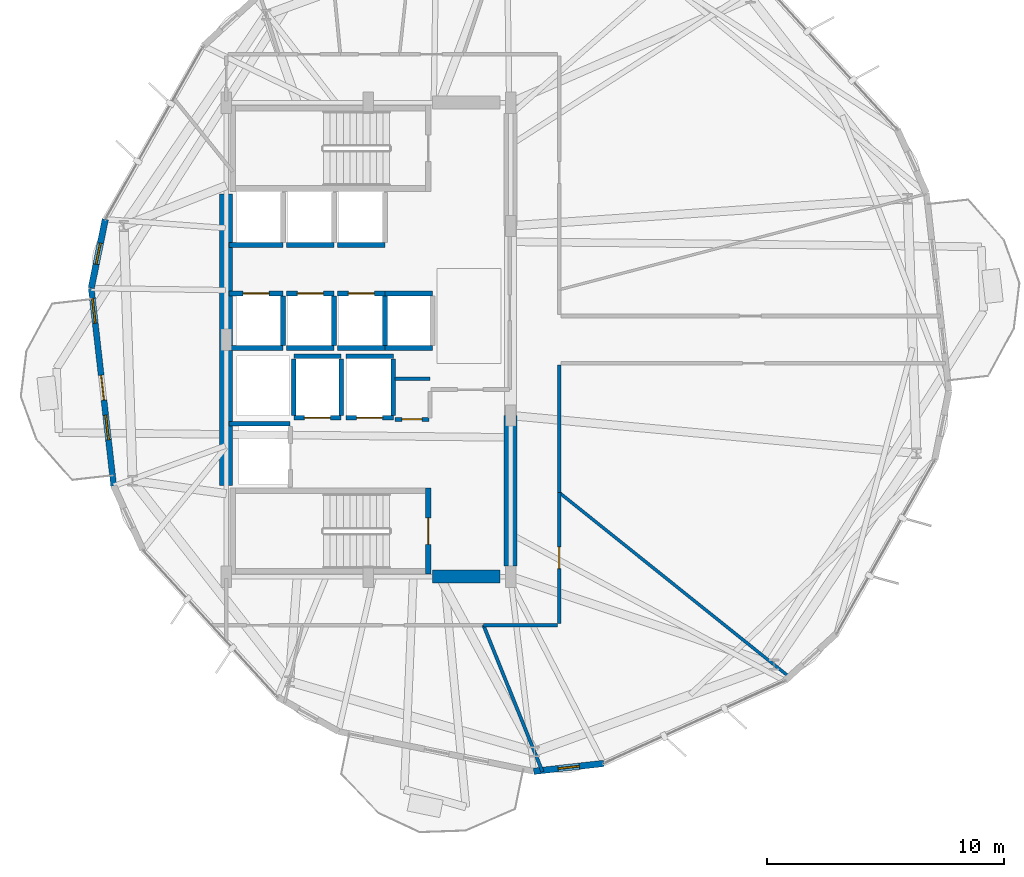
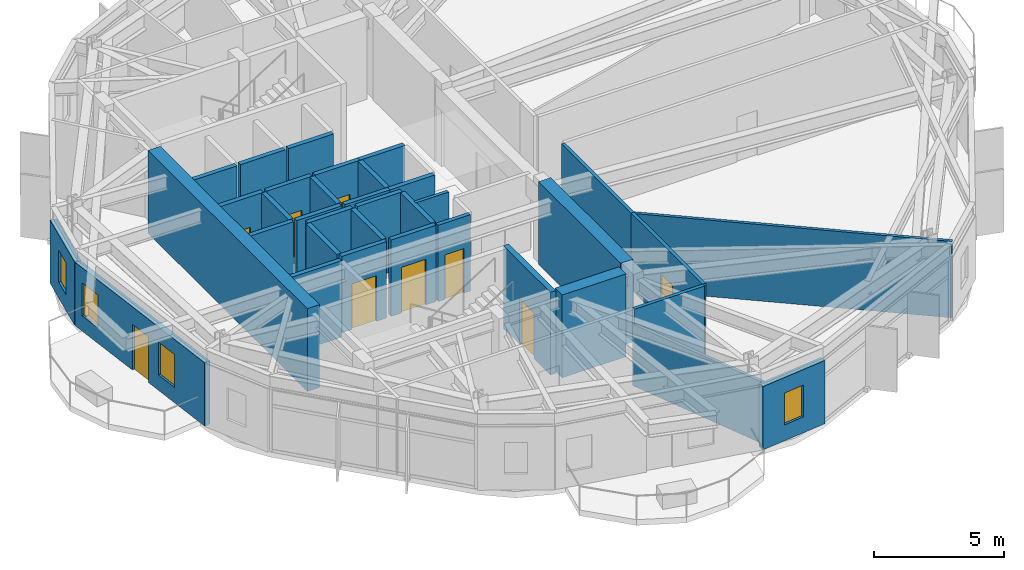
# One storey, part 18 of 23: 36 walls, 9 doors, 4 windows, 13 openings.
"""IFC4 building model written with IfcOpenShell, lengths in metres."""

from ifc_helpers import new_model, si_unit, direction, frame, frame_2d, origin, place, context, subcontext, project, spatial, rectangle, extrude, material, layer, layer_set, type_object, element, fill, save


model = new_model("IFC4")

# Units and contexts
model_context = context("Model", 3, precision=1e-05, world=origin(), true_north=direction((0.0, 1.0)))
body_context = subcontext(model_context, "Body", "Model", "MODEL_VIEW")
ifc_project = project(units=[si_unit("LENGTHUNIT", "METRE"), si_unit("AREAUNIT", "SQUARE_METRE"), si_unit("VOLUMEUNIT", "CUBIC_METRE"), si_unit("PLANEANGLEUNIT", "RADIAN"), si_unit("MASSUNIT", "GRAM", prefix="KILO")], contexts=[model_context])

# Site, building, storey
site_placement = place(None, origin())
site = spatial("IfcSite", under=ifc_project, at=site_placement, CompositionType="ELEMENT")
building_placement = place(site_placement, origin())
building = spatial("IfcBuilding", under=site, at=building_placement, Name="Soratama Intermodal Tower", CompositionType="ELEMENT")
storey_placement = place(building_placement, frame((0.0, 0.0, 122.5)))
storey = spatial("IfcBuildingStorey", under=building, at=storey_placement, Name="L29", CompositionType="ELEMENT", Elevation=122.5)

# Wall, openings, door, windows
ifc_material_1 = material(Name="Concrete f'c 42 MPa", Category="concrete")
ifc_layer_1 = layer(ifc_material_1, 0.25)
ifc_layer_set_1 = layer_set([ifc_layer_1], Name="Concrete f'c 42 MPa")
wall_type_1 = type_object("IfcWallType", Name="EW-BAL-250", PredefinedType="SOLIDWALL", material=ifc_layer_set_1)
wall_1_placement = place(storey_placement, frame((26.904541015625, 27.17431640625, 0.0), z_axis=(0.0, 0.0, 1.0), x_axis=(0.112873191476, -0.993609401448, 0.0)))
wall_1 = element("IfcWall", 1, at=wall_1_placement, inside=storey, type_object=wall_type_1, Name="L29 Terrace Wall F05", PredefinedType="SOLIDWALL", context=body_context, shape_type="SweptSolid", body=[
    extrude(rectangle(XDim=8.4052734375, YDim=0.25, at=frame_2d((4.20263671875, 0.0))), origin(), (0.0, 0.0, 1.0), 2.97900390625),
])
opening_1_placement = place(wall_1_placement, frame((3.70263671875, 0.0, 0.0)))
opening_1 = element("IfcOpeningElement", 2, at=opening_1_placement, cuts=wall_1, Name="Opening ED-5", PredefinedType="OPENING", context=body_context, shape_type="SweptSolid", body=[
    extrude(rectangle(XDim=1.050048828125, YDim=2.14990234375, at=frame_2d((0.52490234375, 1.074951171875))), frame((0.0, 0.135009765625, 0.0), z_axis=(0.0, -1.0, 0.0), x_axis=(1.0, 0.0, 0.0)), (0.0, 0.0, 1.0), 0.27001953125),
])
opening_2_placement = place(wall_1_placement, frame((0.43994140625, 0.0, 0.719970703125)))
opening_2 = element("IfcOpeningElement", 3, at=opening_2_placement, cuts=wall_1, Name="Opening WN-5", PredefinedType="OPENING", context=body_context, shape_type="SweptSolid", body=[
    extrude(rectangle(XDim=1.050048828125, YDim=1.550048828125, at=frame_2d((0.52490234375, 0.77490234375))), frame((0.0, 0.135009765625, 0.0), z_axis=(0.0, -1.0, 0.0), x_axis=(1.0, 0.0, 0.0)), (0.0, 0.0, 1.0), 0.27001953125),
])
opening_3_placement = place(wall_1_placement, frame((5.392578125, 0.0, 0.719970703125)))
opening_3 = element("IfcOpeningElement", 4, at=opening_3_placement, cuts=wall_1, Name="Opening WN-5", PredefinedType="OPENING", context=body_context, shape_type="SweptSolid", body=[
    extrude(rectangle(XDim=1.050048828125, YDim=1.550048828125, at=frame_2d((0.52490234375, 0.77490234375))), frame((0.0, 0.135009765625, 0.0), z_axis=(0.0, -1.0, 0.0), x_axis=(1.0, 0.0, 0.0)), (0.0, 0.0, 1.0), 0.27001953125),
])
ifc_material_2 = material(Name="Double-glazed aluminium door", Category="aluminium")
door_type_1 = type_object("IfcDoorType", Name="DR-BAL-1050", OperationType="NOTDEFINED", PredefinedType="DOOR", material=ifc_material_2)
door_1_placement = place(opening_1_placement, origin())
door_1 = element("IfcDoor", 5, at=door_1_placement, inside=storey, type_object=door_type_1, Name="L29 Balcony Door F05", OperationType="SINGLE_SWING_LEFT", OverallHeight=2.14990234375, OverallWidth=1.050048828125, PredefinedType="DOOR", context=body_context, shape_type="SweptSolid", body=[
    extrude(rectangle(XDim=1.050048828125, YDim=2.14990234375, at=frame_2d((0.52490234375, 1.074951171875))), frame((0.0, 0.02490234375, 0.0), z_axis=(0.0, -1.0, 0.0), x_axis=(1.0, 0.0, 0.0)), (0.0, 0.0, 1.0), 0.050048828125),
])
fill(opening_1, door_1)
ifc_material_3 = material(Name="Double-glazed aluminium window", Category="aluminium")
window_type_1 = type_object("IfcWindowType", Name="WN-FAC-1050", PartitioningType="SINGLE_PANEL", PredefinedType="WINDOW", material=ifc_material_3)
window_1_placement = place(opening_2_placement, origin())
window_1 = element("IfcWindow", 6, at=window_1_placement, inside=storey, type_object=window_type_1, Name="L29 Window A F05", OverallHeight=1.550048828125, OverallWidth=1.050048828125, PartitioningType="SINGLE_PANEL", PredefinedType="WINDOW", context=body_context, shape_type="SweptSolid", body=[
    extrude(rectangle(XDim=1.050048828125, YDim=1.550048828125, at=frame_2d((0.52490234375, 0.77490234375))), frame((0.0, 0.030029296875, 0.0), z_axis=(0.0, -1.0, 0.0), x_axis=(1.0, 0.0, 0.0)), (0.0, 0.0, 1.0), 0.06005859375),
])
fill(opening_2, window_1)
window_2_placement = place(opening_3_placement, origin())
window_2 = element("IfcWindow", 7, at=window_2_placement, inside=storey, type_object=window_type_1, Name="L29 Window B F05", OverallHeight=1.550048828125, OverallWidth=1.050048828125, PartitioningType="SINGLE_PANEL", PredefinedType="WINDOW", context=body_context, shape_type="SweptSolid", body=[
    extrude(rectangle(XDim=1.050048828125, YDim=1.550048828125, at=frame_2d((0.52490234375, 0.77490234375))), frame((0.0, 0.030029296875, 0.0), z_axis=(0.0, -1.0, 0.0), x_axis=(1.0, 0.0, 0.0)), (0.0, 0.0, 1.0), 0.06005859375),
])
fill(opening_3, window_2)

# Wall, opening, window
ifc_material_4 = material(Name="Concrete f'c 42 MPa", Category="concrete")
ifc_layer_2 = layer(ifc_material_4, 0.27001953125)
ifc_layer_set_2 = layer_set([ifc_layer_2], Name="Concrete f'c 42 MPa")
wall_type_2 = type_object("IfcWallType", Name="EW-CRN-270", PredefinedType="SOLIDWALL", material=ifc_layer_set_2)
wall_2_placement = place(storey_placement, frame((27.4970703125, 30.081298828125, 0.0), z_axis=(0.0, 0.0, 1.0), x_axis=(-0.199723000862, -0.979852398541, 0.0)))
wall_2 = element("IfcWall", 8, at=wall_2_placement, inside=storey, type_object=wall_type_2, Name="L29 Corner Closure Wall 04", PredefinedType="SOLIDWALL", context=body_context, shape_type="SweptSolid", body=[
    extrude(rectangle(XDim=2.966796875, YDim=0.27001953125, at=frame_2d((1.4833984375, 0.0))), origin(), (0.0, 0.0, 1.0), 2.97900390625),
])
opening_4_placement = place(wall_2_placement, frame((1.033203125, 0.0, 0.75)))
opening_4 = element("IfcOpeningElement", 9, at=opening_4_placement, cuts=wall_2, Name="Opening WN-6", PredefinedType="OPENING", context=body_context, shape_type="SweptSolid", body=[
    extrude(rectangle(XDim=0.89990234375, YDim=1.5, at=frame_2d((0.449951171875, 0.75))), frame((0.0, 0.14501953125, 0.0), z_axis=(0.0, -1.0, 0.0), x_axis=(1.0, 0.0, 0.0)), (0.0, 0.0, 1.0), 0.2900390625),
])
ifc_material_5 = material(Name="Double-glazed aluminium window", Category="aluminium")
window_type_2 = type_object("IfcWindowType", Name="WN-FAC-900", PartitioningType="SINGLE_PANEL", PredefinedType="WINDOW", material=ifc_material_5)
window_3_placement = place(opening_4_placement, origin())
window_3 = element("IfcWindow", 10, at=window_3_placement, inside=storey, type_object=window_type_2, Name="L29 Corner Window 04", OverallHeight=1.5, OverallWidth=0.89990234375, PartitioningType="SINGLE_PANEL", PredefinedType="WINDOW", context=body_context, shape_type="SweptSolid", body=[
    extrude(rectangle(XDim=0.89990234375, YDim=1.5, at=frame_2d((0.449951171875, 0.75))), frame((0.0, 0.030029296875, 0.0), z_axis=(0.0, -1.0, 0.0), x_axis=(1.0, 0.0, 0.0)), (0.0, 0.0, 1.0), 0.06005859375),
])
fill(opening_4, window_3)

wall_3_placement = place(storey_placement, frame((45.576171875, 6.783447265625, 0.0), z_axis=(0.0, 0.0, 1.0), x_axis=(0.993605674431, 0.11290599514, 0.0)))
wall_3 = element("IfcWall", 11, at=wall_3_placement, inside=storey, type_object=wall_type_2, Name="L29 Corner Closure Wall 07", PredefinedType="SOLIDWALL", context=body_context, shape_type="SweptSolid", body=[
    extrude(rectangle(XDim=2.966796875, YDim=0.27001953125, at=frame_2d((1.4833984375, 0.0))), origin(), (0.0, 0.0, 1.0), 2.97900390625),
])
opening_5_placement = place(wall_3_placement, frame((1.033203125, 0.0, 0.75)))
opening_5 = element("IfcOpeningElement", 12, at=opening_5_placement, cuts=wall_3, Name="Opening WN-6", PredefinedType="OPENING", context=body_context, shape_type="SweptSolid", body=[
    extrude(rectangle(XDim=0.89990234375, YDim=1.5, at=frame_2d((0.449951171875, 0.75))), frame((0.0, 0.14501953125, 0.0), z_axis=(0.0, -1.0, 0.0), x_axis=(1.0, 0.0, 0.0)), (0.0, 0.0, 1.0), 0.2900390625),
])
window_4_placement = place(opening_5_placement, origin())
window_4 = element("IfcWindow", 13, at=window_4_placement, inside=storey, type_object=window_type_2, Name="L29 Corner Window 07", OverallHeight=1.5, OverallWidth=0.89990234375, PartitioningType="SINGLE_PANEL", PredefinedType="WINDOW", context=body_context, shape_type="SweptSolid", body=[
    extrude(rectangle(XDim=0.89990234375, YDim=1.5, at=frame_2d((0.449951171875, 0.75))), frame((0.0, 0.030029296875, 0.0), z_axis=(0.0, -1.0, 0.0), x_axis=(1.0, 0.0, 0.0)), (0.0, 0.0, 1.0), 0.06005859375),
])
fill(opening_5, window_4)

# Wall, opening, door
ifc_material_6 = material(Name="Fire-rated gypsum stud partition", Category="concrete")
ifc_layer_3 = layer(ifc_material_6, 0.14990234375)
ifc_layer_set_3 = layer_set([ifc_layer_3], Name="Fire-rated gypsum stud partition")
wall_type_3 = type_object("IfcWallType", Name="IW-PART-R150", PredefinedType="PARTITIONING", material=ifc_layer_set_3)
wall_4_placement = place(storey_placement, frame((46.64990234375, 18.550048828125, 0.0), z_axis=(0.0, 0.0, 1.0), x_axis=(0.0, -1.0, 0.0)))
wall_4 = element("IfcWall", 14, at=wall_4_placement, inside=storey, type_object=wall_type_3, Name="L29 Partition W-L29-TP010", PredefinedType="PARTITIONING", context=body_context, shape_type="SweptSolid", body=[
    extrude(rectangle(XDim=5.530029296875, YDim=0.14990234375, at=frame_2d((2.76513671875, 0.0))), origin(), (0.0, 0.0, 1.0), 3.60009765625),
])
opening_6_placement = place(wall_4_placement, frame((2.2900390625, 0.0, 0.0)))
opening_6 = element("IfcOpeningElement", 15, at=opening_6_placement, cuts=wall_4, Name="Opening ID-6", PredefinedType="OPENING", context=body_context, shape_type="SweptSolid", body=[
    extrude(rectangle(XDim=0.919921875, YDim=2.1201171875, at=frame_2d((0.4599609375, 1.06005859375))), frame((0.0, 0.0849609375, 0.0), z_axis=(0.0, -1.0, 0.0), x_axis=(1.0, 0.0, 0.0)), (0.0, 0.0, 1.0), 0.169921875),
])
ifc_material_7 = material(Name="Solid hardwood acoustic door", Category="wood")
door_type_2 = type_object("IfcDoorType", Name="DR-ROOM-920", OperationType="NOTDEFINED", PredefinedType="DOOR", material=ifc_material_7)
door_2_placement = place(opening_6_placement, origin())
door_2 = element("IfcDoor", 16, at=door_2_placement, inside=storey, type_object=door_type_2, Name="L29 Door D-L29-TP006", OperationType="SINGLE_SWING_LEFT", OverallHeight=2.1201171875, OverallWidth=0.919921875, PredefinedType="DOOR", context=body_context, shape_type="SweptSolid", body=[
    extrude(rectangle(XDim=0.919921875, YDim=2.1201171875, at=frame_2d((0.4599609375, 1.06005859375))), frame((0.0, 0.02490234375, 0.0), z_axis=(0.0, -1.0, 0.0), x_axis=(1.0, 0.0, 0.0)), (0.0, 0.0, 1.0), 0.050048828125),
])
fill(opening_6, door_2)

# Walls
wall_5_placement = place(storey_placement, frame((46.64990234375, 23.929931640625, 0.0), z_axis=(0.0, 0.0, 1.0), x_axis=(0.0, -1.0, 0.0)))
element("IfcWall", 17, at=wall_5_placement, inside=storey, type_object=wall_type_3, Name="L29 Partition W-L29-TP012", PredefinedType="PARTITIONING", context=body_context, shape_type="SweptSolid", body=[
    extrude(rectangle(XDim=5.3798828125, YDim=0.14990234375, at=frame_2d((2.68994140625, 0.0))), origin(), (0.0, 0.0, 1.0), 3.60009765625),
])
wall_6_placement = place(storey_placement, frame((46.580078125, 12.949951171875, 0.0), z_axis=(0.0, 0.0, 1.0), x_axis=(-1.0, 0.0, 0.0)))
element("IfcWall", 18, at=wall_6_placement, inside=storey, type_object=wall_type_3, Name="L29 Partition W-L29-TP019", PredefinedType="PARTITIONING", context=body_context, shape_type="SweptSolid", body=[
    extrude(rectangle(XDim=3.125, YDim=0.14990234375, at=frame_2d((1.5625, 0.0))), origin(), (0.0, 0.0, 1.0), 3.60009765625),
])
wall_7_placement = place(storey_placement, frame((41.199951171875, 23.360107421875, 0.0), z_axis=(0.0, 0.0, 1.0), x_axis=(-1.0, 0.0, 0.0)))
element("IfcWall", 19, at=wall_7_placement, inside=storey, type_object=wall_type_3, Name="L29 Partition W-L29-TP030", PredefinedType="PARTITIONING", context=body_context, shape_type="SweptSolid", body=[
    extrude(rectangle(XDim=1.47998046875, YDim=0.14990234375, at=frame_2d((0.739990234375, 0.0))), origin(), (0.0, 0.0, 1.0), 3.60009765625),
])

# Wall, opening, door
ifc_material_8 = material(Name="Fire-rated gypsum stud partition", Category="concrete")
ifc_layer_4 = layer(ifc_material_8, 0.169921875)
ifc_layer_set_4 = layer_set([ifc_layer_4], Name="Fire-rated gypsum stud partition")
wall_type_4 = type_object("IfcWallType", Name="IW-PART-R170", PredefinedType="PARTITIONING", material=ifc_layer_set_4)
wall_8_placement = place(storey_placement, frame((39.719970703125, 21.639892578125, 0.0), z_axis=(0.0, 0.0, 1.0), x_axis=(1.0, 0.0, 0.0)))
wall_8 = element("IfcWall", 20, at=wall_8_placement, inside=storey, type_object=wall_type_4, Name="L29 Partition W-L29-TP027", PredefinedType="PARTITIONING", context=body_context, shape_type="SweptSolid", body=[
    extrude(rectangle(XDim=1.43994140625, YDim=0.169921875, at=frame_2d((0.719970703125, 0.0))), origin(), (0.0, 0.0, 1.0), 3.60009765625),
])
opening_7_placement = place(wall_8_placement, frame((0.294921875, 0.0, 0.0)))
opening_7 = element("IfcOpeningElement", 21, at=opening_7_placement, cuts=wall_8, Name="Opening ID-4", PredefinedType="OPENING", context=body_context, shape_type="SweptSolid", body=[
    extrude(rectangle(XDim=0.85009765625, YDim=2.10009765625, at=frame_2d((0.425048828125, 1.050048828125))), frame((0.0, 0.094970703125, 0.0), z_axis=(0.0, -1.0, 0.0), x_axis=(1.0, 0.0, 0.0)), (0.0, 0.0, 1.0), 0.18994140625),
])
ifc_material_9 = material(Name="Solid hardwood acoustic door", Category="wood")
door_type_3 = type_object("IfcDoorType", Name="DR-BATH-850", OperationType="NOTDEFINED", PredefinedType="DOOR", material=ifc_material_9)
door_3_placement = place(opening_7_placement, origin())
door_3 = element("IfcDoor", 22, at=door_3_placement, inside=storey, type_object=door_type_3, Name="L29 Door D-L29-TP013", OperationType="SINGLE_SWING_RIGHT", OverallHeight=2.10009765625, OverallWidth=0.85009765625, PredefinedType="DOOR", context=body_context, shape_type="SweptSolid", body=[
    extrude(rectangle(XDim=0.85009765625, YDim=2.10009765625, at=frame_2d((0.425048828125, 1.050048828125))), frame((0.0, 0.02490234375, 0.0), z_axis=(0.0, -1.0, 0.0), x_axis=(1.0, 0.0, 0.0)), (0.0, 0.0, 1.0), 0.050048828125),
])
fill(opening_7, door_3)

# Walls
ifc_material_10 = material(Name="Fire-rated gypsum stud partition", Category="concrete")
ifc_layer_5 = layer(ifc_material_10, 0.1298828125)
ifc_layer_set_5 = layer_set([ifc_layer_5], Name="Fire-rated gypsum stud partition")
wall_type_5 = type_object("IfcWallType", Name="IW-PART-S130", PredefinedType="PARTITIONING", material=ifc_layer_set_5)
wall_9_placement = place(storey_placement, frame((46.64990234375, 18.550048828125, 0.0), z_axis=(0.0, 0.0, 1.0), x_axis=(0.780401084776, -0.625279255118, 0.0)))
element("IfcWall", 23, at=wall_9_placement, inside=storey, type_object=wall_type_5, Name="L29 Partition W-L29-TP004", PredefinedType="PARTITIONING", context=body_context, shape_type="SweptSolid", body=[
    extrude(rectangle(XDim=12.482421875, YDim=0.1298828125, at=frame_2d((6.2412109375, 0.0))), origin(), (0.0, 0.0, 1.0), 3.60009765625),
])
ifc_material_11 = material(Name="Fire-rated gypsum stud partition", Category="concrete")
ifc_layer_6 = layer(ifc_material_11, 0.139892578125)
ifc_layer_set_6 = layer_set([ifc_layer_6], Name="Fire-rated gypsum stud partition")
wall_type_6 = type_object("IfcWallType", Name="IW-PART-S140", PredefinedType="PARTITIONING", material=ifc_layer_set_6)
wall_10_placement = place(storey_placement, frame((43.455078125, 12.949951171875, 0.0), z_axis=(0.0, 0.0, 1.0), x_axis=(0.373820474629, -0.927501079648, 0.0)))
element("IfcWall", 24, at=wall_10_placement, inside=storey, type_object=wall_type_6, Name="L29 Partition W-L29-TP008", PredefinedType="PARTITIONING", context=body_context, shape_type="SweptSolid", body=[
    extrude(rectangle(XDim=6.666259765625, YDim=0.139892578125, at=frame_2d((3.3330078125, 0.0))), origin(), (0.0, 0.0, 1.0), 2.89501953125),
])

# Wall, opening, door
ifc_material_12 = material(Name="Concrete f'c 42 MPa", Category="concrete")
ifc_layer_7 = layer(ifc_material_12, 0.199951171875)
ifc_layer_set_7 = layer_set([ifc_layer_7], Name="Concrete f'c 42 MPa")
wall_type_7 = type_object("IfcWallType", Name="IW-SHAFT-200", PredefinedType="SOLIDWALL", material=ifc_layer_set_7)
wall_11_placement = place(storey_placement, frame((35.449951171875, 21.699951171875, 0.0), z_axis=(0.0, 0.0, 1.0), x_axis=(1.0, 0.0, 0.0)))
wall_11 = element("IfcWall", 25, at=wall_11_placement, inside=storey, type_object=wall_type_7, Name="L29 FFL-1 Hoistway Wall S", PredefinedType="SOLIDWALL", context=body_context, shape_type="SweptSolid", body=[
    extrude(rectangle(XDim=2.0, YDim=0.199951171875, at=frame_2d((1.0, 0.0))), origin(), (0.0, 0.0, 1.0), 3.60009765625),
])
opening_8_placement = place(wall_11_placement, frame((0.449951171875, 0.0, 0.0)))
opening_8 = element("IfcOpeningElement", 26, at=opening_8_placement, cuts=wall_11, Name="Opening LD-1", PredefinedType="OPENING", context=body_context, shape_type="SweptSolid", body=[
    extrude(rectangle(XDim=1.10009765625, YDim=2.14990234375, at=frame_2d((0.550048828125, 1.074951171875))), frame((0.0, 0.10986328125, 0.0), z_axis=(0.0, -1.0, 0.0), x_axis=(1.0, 0.0, 0.0)), (0.0, 0.0, 1.0), 0.219970703125),
])
ifc_material_13 = material(Name="Steel fire door", Category="steel")
door_type_4 = type_object("IfcDoorType", Name="DR-LIFT-SLIDE", OperationType="NOTDEFINED", PredefinedType="DOOR", material=ifc_material_13)
door_4_placement = place(opening_8_placement, origin())
door_4 = element("IfcDoor", 27, at=door_4_placement, inside=storey, type_object=door_type_4, Name="L29 FFL-1 Sliding Landing Door", OperationType="SLIDING_TO_LEFT", OverallHeight=2.14990234375, OverallWidth=1.10009765625, PredefinedType="DOOR", context=body_context, shape_type="SweptSolid", body=[
    extrude(rectangle(XDim=1.10009765625, YDim=2.14990234375, at=frame_2d((0.550048828125, 1.074951171875))), frame((0.0, 0.02490234375, 0.0), z_axis=(0.0, -1.0, 0.0), x_axis=(1.0, 0.0, 0.0)), (0.0, 0.0, 1.0), 0.050048828125),
])
fill(opening_8, door_4)

# Walls
wall_12_placement = place(storey_placement, frame((35.449951171875, 24.300048828125, 0.0), z_axis=(0.0, 0.0, 1.0), x_axis=(1.0, 0.0, 0.0)))
element("IfcWall", 28, at=wall_12_placement, inside=storey, type_object=wall_type_7, Name="L29 FFL-1 Hoistway Wall N", PredefinedType="SOLIDWALL", context=body_context, shape_type="SweptSolid", body=[
    extrude(rectangle(XDim=2.0, YDim=0.199951171875, at=frame_2d((1.0, 0.0))), origin(), (0.0, 0.0, 1.0), 3.60009765625),
])
for number, where, z_axis, x_axis, name in (
    (29, (35.449951171875, 21.81005859375, 0.0), (0.0, 0.0, 1.0), (0.0, 1.0, 0.0), "L29 FFL-1 Hoistway Wall W"),
    (30, (37.449951171875, 21.81005859375, 0.0), (0.0, 0.0, 1.0), (0.0, 1.0, 0.0), "L29 FFL-1 Hoistway Wall E"),
):
    element("IfcWall", number, at=place(storey_placement, frame(where, z_axis=z_axis, x_axis=x_axis)), inside=storey, type_object=wall_type_7, Name=name, PredefinedType="SOLIDWALL", context=body_context, shape_type="SweptSolid", body=[
        extrude(rectangle(XDim=2.3798828125, YDim=0.199951171875, at=frame_2d((1.18994140625, 0.0))), origin(), (0.0, 0.0, 1.0), 3.60009765625),
    ])

# Wall, opening, door
wall_13_placement = place(storey_placement, frame((37.64990234375, 21.699951171875, 0.0), z_axis=(0.0, 0.0, 1.0), x_axis=(1.0, 0.0, 0.0)))
wall_13 = element("IfcWall", 31, at=wall_13_placement, inside=storey, type_object=wall_type_7, Name="L29 FFL-2 Hoistway Wall S", PredefinedType="SOLIDWALL", context=body_context, shape_type="SweptSolid", body=[
    extrude(rectangle(XDim=2.0, YDim=0.199951171875, at=frame_2d((1.0, 0.0))), origin(), (0.0, 0.0, 1.0), 3.60009765625),
])
opening_9_placement = place(wall_13_placement, frame((0.449951171875, 0.0, 0.0)))
opening_9 = element("IfcOpeningElement", 32, at=opening_9_placement, cuts=wall_13, Name="Opening LD-1", PredefinedType="OPENING", context=body_context, shape_type="SweptSolid", body=[
    extrude(rectangle(XDim=1.10009765625, YDim=2.14990234375, at=frame_2d((0.550048828125, 1.074951171875))), frame((0.0, 0.10986328125, 0.0), z_axis=(0.0, -1.0, 0.0), x_axis=(1.0, 0.0, 0.0)), (0.0, 0.0, 1.0), 0.219970703125),
])
door_5_placement = place(opening_9_placement, origin())
door_5 = element("IfcDoor", 33, at=door_5_placement, inside=storey, type_object=door_type_4, Name="L29 FFL-2 Sliding Landing Door", OperationType="SLIDING_TO_LEFT", OverallHeight=2.14990234375, OverallWidth=1.10009765625, PredefinedType="DOOR", context=body_context, shape_type="SweptSolid", body=[
    extrude(rectangle(XDim=1.10009765625, YDim=2.14990234375, at=frame_2d((0.550048828125, 1.074951171875))), frame((0.0, 0.02490234375, 0.0), z_axis=(0.0, -1.0, 0.0), x_axis=(1.0, 0.0, 0.0)), (0.0, 0.0, 1.0), 0.050048828125),
])
fill(opening_9, door_5)

# Walls
wall_14_placement = place(storey_placement, frame((37.64990234375, 24.300048828125, 0.0), z_axis=(0.0, 0.0, 1.0), x_axis=(1.0, 0.0, 0.0)))
element("IfcWall", 34, at=wall_14_placement, inside=storey, type_object=wall_type_7, Name="L29 FFL-2 Hoistway Wall N", PredefinedType="SOLIDWALL", context=body_context, shape_type="SweptSolid", body=[
    extrude(rectangle(XDim=2.0, YDim=0.199951171875, at=frame_2d((1.0, 0.0))), origin(), (0.0, 0.0, 1.0), 3.60009765625),
])
wall_15_placement = place(storey_placement, frame((39.64990234375, 21.81005859375, 0.0), z_axis=(0.0, 0.0, 1.0), x_axis=(0.0, 1.0, 0.0)))
element("IfcWall", 35, at=wall_15_placement, inside=storey, type_object=wall_type_7, Name="L29 FFL-2 Hoistway Wall E", PredefinedType="SOLIDWALL", context=body_context, shape_type="SweptSolid", body=[
    extrude(rectangle(XDim=2.3798828125, YDim=0.199951171875, at=frame_2d((1.18994140625, 0.0))), origin(), (0.0, 0.0, 1.0), 3.60009765625),
])
wall_16_placement = place(storey_placement, frame((32.719970703125, 21.449951171875, 0.0), z_axis=(0.0, 0.0, 1.0), x_axis=(1.0, 0.0, 0.0)))
element("IfcWall", 36, at=wall_16_placement, inside=storey, type_object=wall_type_7, Name="L29 SVL-1 Hoistway Wall N", PredefinedType="SOLIDWALL", context=body_context, shape_type="SweptSolid", body=[
    extrude(rectangle(XDim=2.580078125, YDim=0.199951171875, at=frame_2d((1.2900390625, 0.0))), origin(), (0.0, 0.0, 1.0), 3.60009765625),
])
wall_17_placement = place(storey_placement, frame((32.719970703125, 24.64990234375, 0.0), z_axis=(0.0, 0.0, 1.0), x_axis=(1.0, 0.0, 0.0)))
element("IfcWall", 37, at=wall_17_placement, inside=storey, type_object=wall_type_7, Name="L29 PL-L1 Hoistway Wall S", PredefinedType="SOLIDWALL", context=body_context, shape_type="SweptSolid", body=[
    extrude(rectangle(XDim=2.280029296875, YDim=0.199951171875, at=frame_2d((1.14013671875, 0.0))), origin(), (0.0, 0.0, 1.0), 3.60009765625),
])

# Wall, opening, door
wall_18_placement = place(storey_placement, frame((32.719970703125, 26.949951171875, 0.0), z_axis=(0.0, 0.0, 1.0), x_axis=(1.0, 0.0, 0.0)))
wall_18 = element("IfcWall", 38, at=wall_18_placement, inside=storey, type_object=wall_type_7, Name="L29 PL-L1 Hoistway Wall N", PredefinedType="SOLIDWALL", context=body_context, shape_type="SweptSolid", body=[
    extrude(rectangle(XDim=2.280029296875, YDim=0.199951171875, at=frame_2d((1.14013671875, 0.0))), origin(), (0.0, 0.0, 1.0), 3.60009765625),
])
opening_10_placement = place(wall_18_placement, frame((0.590087890625, 0.0, 0.0)))
opening_10 = element("IfcOpeningElement", 39, at=opening_10_placement, cuts=wall_18, Name="Opening LD-1", PredefinedType="OPENING", context=body_context, shape_type="SweptSolid", body=[
    extrude(rectangle(XDim=1.10009765625, YDim=2.14990234375, at=frame_2d((0.550048828125, 1.074951171875))), frame((0.0, 0.10986328125, 0.0), z_axis=(0.0, -1.0, 0.0), x_axis=(1.0, 0.0, 0.0)), (0.0, 0.0, 1.0), 0.219970703125),
])
door_6_placement = place(opening_10_placement, origin())
door_6 = element("IfcDoor", 40, at=door_6_placement, inside=storey, type_object=door_type_4, Name="L29 PL-L1 Sliding Landing Door", OperationType="SLIDING_TO_LEFT", OverallHeight=2.14990234375, OverallWidth=1.10009765625, PredefinedType="DOOR", context=body_context, shape_type="SweptSolid", body=[
    extrude(rectangle(XDim=1.10009765625, YDim=2.14990234375, at=frame_2d((0.550048828125, 1.074951171875))), frame((0.0, 0.02490234375, 0.0), z_axis=(0.0, -1.0, 0.0), x_axis=(1.0, 0.0, 0.0)), (0.0, 0.0, 1.0), 0.050048828125),
])
fill(opening_10, door_6)

# Walls
wall_19_placement = place(storey_placement, frame((35.0, 24.760009765625, 0.0), z_axis=(0.0, 0.0, 1.0), x_axis=(0.0, 1.0, 0.0)))
element("IfcWall", 41, at=wall_19_placement, inside=storey, type_object=wall_type_7, Name="L29 PL-L1 Hoistway Wall E", PredefinedType="SOLIDWALL", context=body_context, shape_type="SweptSolid", body=[
    extrude(rectangle(XDim=2.080078125, YDim=0.199951171875, at=frame_2d((1.0400390625, 0.0))), origin(), (0.0, 0.0, 1.0), 3.60009765625),
])
wall_20_placement = place(storey_placement, frame((35.14990234375, 24.64990234375, 0.0), z_axis=(0.0, 0.0, 1.0), x_axis=(1.0, 0.0, 0.0)))
element("IfcWall", 42, at=wall_20_placement, inside=storey, type_object=wall_type_7, Name="L29 PL-L2 Hoistway Wall S", PredefinedType="SOLIDWALL", context=body_context, shape_type="SweptSolid", body=[
    extrude(rectangle(XDim=2.0, YDim=0.199951171875, at=frame_2d((1.0, 0.0))), origin(), (0.0, 0.0, 1.0), 3.60009765625),
])

# Wall, opening, door
wall_21_placement = place(storey_placement, frame((35.14990234375, 26.949951171875, 0.0), z_axis=(0.0, 0.0, 1.0), x_axis=(1.0, 0.0, 0.0)))
wall_21 = element("IfcWall", 43, at=wall_21_placement, inside=storey, type_object=wall_type_7, Name="L29 PL-L2 Hoistway Wall N", PredefinedType="SOLIDWALL", context=body_context, shape_type="SweptSolid", body=[
    extrude(rectangle(XDim=2.0, YDim=0.199951171875, at=frame_2d((1.0, 0.0))), origin(), (0.0, 0.0, 1.0), 3.60009765625),
])
opening_11_placement = place(wall_21_placement, frame((0.449951171875, 0.0, 0.0)))
opening_11 = element("IfcOpeningElement", 44, at=opening_11_placement, cuts=wall_21, Name="Opening LD-1", PredefinedType="OPENING", context=body_context, shape_type="SweptSolid", body=[
    extrude(rectangle(XDim=1.10009765625, YDim=2.14990234375, at=frame_2d((0.550048828125, 1.074951171875))), frame((0.0, 0.10986328125, 0.0), z_axis=(0.0, -1.0, 0.0), x_axis=(1.0, 0.0, 0.0)), (0.0, 0.0, 1.0), 0.219970703125),
])
door_7_placement = place(opening_11_placement, origin())
door_7 = element("IfcDoor", 45, at=door_7_placement, inside=storey, type_object=door_type_4, Name="L29 PL-L2 Sliding Landing Door", OperationType="SLIDING_TO_LEFT", OverallHeight=2.14990234375, OverallWidth=1.10009765625, PredefinedType="DOOR", context=body_context, shape_type="SweptSolid", body=[
    extrude(rectangle(XDim=1.10009765625, YDim=2.14990234375, at=frame_2d((0.550048828125, 1.074951171875))), frame((0.0, 0.02490234375, 0.0), z_axis=(0.0, -1.0, 0.0), x_axis=(1.0, 0.0, 0.0)), (0.0, 0.0, 1.0), 0.050048828125),
])
fill(opening_11, door_7)

# Walls
wall_22_placement = place(storey_placement, frame((37.14990234375, 24.760009765625, 0.0), z_axis=(0.0, 0.0, 1.0), x_axis=(0.0, 1.0, 0.0)))
element("IfcWall", 46, at=wall_22_placement, inside=storey, type_object=wall_type_7, Name="L29 PL-L2 Hoistway Wall E", PredefinedType="SOLIDWALL", context=body_context, shape_type="SweptSolid", body=[
    extrude(rectangle(XDim=2.080078125, YDim=0.199951171875, at=frame_2d((1.0400390625, 0.0))), origin(), (0.0, 0.0, 1.0), 3.60009765625),
])
wall_23_placement = place(storey_placement, frame((37.300048828125, 24.64990234375, 0.0), z_axis=(0.0, 0.0, 1.0), x_axis=(1.0, 0.0, 0.0)))
element("IfcWall", 47, at=wall_23_placement, inside=storey, type_object=wall_type_7, Name="L29 PL-L3 Hoistway Wall S", PredefinedType="SOLIDWALL", context=body_context, shape_type="SweptSolid", body=[
    extrude(rectangle(XDim=2.0, YDim=0.199951171875, at=frame_2d((1.0, 0.0))), origin(), (0.0, 0.0, 1.0), 3.60009765625),
])

# Wall, opening, door
wall_24_placement = place(storey_placement, frame((37.300048828125, 26.949951171875, 0.0), z_axis=(0.0, 0.0, 1.0), x_axis=(1.0, 0.0, 0.0)))
wall_24 = element("IfcWall", 48, at=wall_24_placement, inside=storey, type_object=wall_type_7, Name="L29 PL-L3 Hoistway Wall N", PredefinedType="SOLIDWALL", context=body_context, shape_type="SweptSolid", body=[
    extrude(rectangle(XDim=2.0, YDim=0.199951171875, at=frame_2d((1.0, 0.0))), origin(), (0.0, 0.0, 1.0), 3.60009765625),
])
opening_12_placement = place(wall_24_placement, frame((0.449951171875, 0.0, 0.0)))
opening_12 = element("IfcOpeningElement", 49, at=opening_12_placement, cuts=wall_24, Name="Opening LD-1", PredefinedType="OPENING", context=body_context, shape_type="SweptSolid", body=[
    extrude(rectangle(XDim=1.10009765625, YDim=2.14990234375, at=frame_2d((0.550048828125, 1.074951171875))), frame((0.0, 0.10986328125, 0.0), z_axis=(0.0, -1.0, 0.0), x_axis=(1.0, 0.0, 0.0)), (0.0, 0.0, 1.0), 0.219970703125),
])
door_8_placement = place(opening_12_placement, origin())
door_8 = element("IfcDoor", 50, at=door_8_placement, inside=storey, type_object=door_type_4, Name="L29 PL-L3 Sliding Landing Door", OperationType="SLIDING_TO_LEFT", OverallHeight=2.14990234375, OverallWidth=1.10009765625, PredefinedType="DOOR", context=body_context, shape_type="SweptSolid", body=[
    extrude(rectangle(XDim=1.10009765625, YDim=2.14990234375, at=frame_2d((0.550048828125, 1.074951171875))), frame((0.0, 0.02490234375, 0.0), z_axis=(0.0, -1.0, 0.0), x_axis=(1.0, 0.0, 0.0)), (0.0, 0.0, 1.0), 0.050048828125),
])
fill(opening_12, door_8)

# Walls
wall_25_placement = place(storey_placement, frame((39.300048828125, 24.760009765625, 0.0), z_axis=(0.0, 0.0, 1.0), x_axis=(0.0, 1.0, 0.0)))
element("IfcWall", 51, at=wall_25_placement, inside=storey, type_object=wall_type_7, Name="L29 PL-L3 Hoistway Wall E", PredefinedType="SOLIDWALL", context=body_context, shape_type="SweptSolid", body=[
    extrude(rectangle(XDim=2.080078125, YDim=0.199951171875, at=frame_2d((1.0400390625, 0.0))), origin(), (0.0, 0.0, 1.0), 3.60009765625),
])
for number, where, z_axis, x_axis, name in (
    (52, (39.300048828125, 24.64990234375, 0.0), (0.0, 0.0, 1.0), (1.0, 0.0, 0.0), "L29 PL-M1 Hoistway Wall S"),
    (53, (39.300048828125, 26.949951171875, 0.0), (0.0, 0.0, 1.0), (1.0, 0.0, 0.0), "L29 PL-M1 Hoistway Wall N"),
):
    element("IfcWall", number, at=place(storey_placement, frame(where, z_axis=z_axis, x_axis=x_axis)), inside=storey, type_object=wall_type_7, Name=name, PredefinedType="SOLIDWALL", context=body_context, shape_type="SweptSolid", body=[
        extrude(rectangle(XDim=2.0, YDim=0.199951171875, at=frame_2d((1.0, 0.0))), origin(), (0.0, 0.0, 1.0), 3.60009765625),
    ])
wall_26_placement = place(storey_placement, frame((32.719970703125, 29.0, 0.0), z_axis=(0.0, 0.0, 1.0), x_axis=(1.0, 0.0, 0.0)))
element("IfcWall", 54, at=wall_26_placement, inside=storey, type_object=wall_type_7, Name="L29 PL-M2 Hoistway Wall S", PredefinedType="SOLIDWALL", context=body_context, shape_type="SweptSolid", body=[
    extrude(rectangle(XDim=2.280029296875, YDim=0.199951171875, at=frame_2d((1.14013671875, 0.0))), origin(), (0.0, 0.0, 1.0), 3.60009765625),
])
for number, where, z_axis, x_axis, name in (
    (55, (35.14990234375, 29.0, 0.0), (0.0, 0.0, 1.0), (1.0, 0.0, 0.0), "L29 PL-H1 Hoistway Wall S"),
    (56, (37.300048828125, 29.0, 0.0), (0.0, 0.0, 1.0), (1.0, 0.0, 0.0), "L29 PL-H2 Hoistway Wall S"),
):
    element("IfcWall", number, at=place(storey_placement, frame(where, z_axis=z_axis, x_axis=x_axis)), inside=storey, type_object=wall_type_7, Name=name, PredefinedType="SOLIDWALL", context=body_context, shape_type="SweptSolid", body=[
        extrude(rectangle(XDim=2.0, YDim=0.199951171875, at=frame_2d((1.0, 0.0))), origin(), (0.0, 0.0, 1.0), 3.60009765625),
    ])
ifc_material_14 = material(Name="Concrete f'c 56 MPa", Category="concrete")
ifc_layer_8 = layer(ifc_material_14, 0.550048828125)
ifc_layer_set_8 = layer_set([ifc_layer_8], Name="Concrete f'c 56 MPa")
wall_type_8 = type_object("IfcWallType", Name="SW-CORE-550", PredefinedType="SHEAR", material=ifc_layer_set_8)
wall_27_placement = place(storey_placement, frame((32.60009765625, 18.85009765625, 0.0), z_axis=(0.0, 0.0, 1.0), x_axis=(0.0, 1.0, 0.0)))
element("IfcWall", 57, at=wall_27_placement, inside=storey, type_object=wall_type_8, Name="L29 Core Shear Wall CW-WMID", PredefinedType="SHEAR", context=body_context, shape_type="SweptSolid", body=[
    extrude(rectangle(XDim=12.2998046875, YDim=0.550048828125, at=frame_2d((6.14990234375, 0.0))), origin(), (0.0, 0.0, 1.0), 3.89990234375),
])
wall_28_placement = place(storey_placement, frame((41.300048828125, 15.0, 0.0), z_axis=(0.0, 0.0, 1.0), x_axis=(1.0, 0.0, 0.0)))
element("IfcWall", 58, at=wall_28_placement, inside=storey, type_object=wall_type_8, Name="L29 Core Shear Wall CW-SE", PredefinedType="SHEAR", context=body_context, shape_type="SweptSolid", body=[
    extrude(rectangle(XDim=2.849853515625, YDim=0.550048828125, at=frame_2d((1.4248046875, 0.0))), origin(), (0.0, 0.0, 1.0), 3.89990234375),
])
wall_29_placement = place(storey_placement, frame((44.60009765625, 15.449951171875, 0.0), z_axis=(0.0, 0.0, 1.0), x_axis=(0.0, 1.0, 0.0)))
element("IfcWall", 59, at=wall_29_placement, inside=storey, type_object=wall_type_8, Name="L29 Core Shear Wall CW-ES", PredefinedType="SHEAR", context=body_context, shape_type="SweptSolid", body=[
    extrude(rectangle(XDim=6.35009765625, YDim=0.550048828125, at=frame_2d((3.175048828125, 0.0))), origin(), (0.0, 0.0, 1.0), 3.89990234375),
])

# Wall, opening, door
ifc_material_15 = material(Name="Concrete f'c 56 MPa", Category="concrete")
ifc_layer_9 = layer(ifc_material_15, 0.239990234375)
ifc_layer_set_9 = layer_set([ifc_layer_9], Name="Concrete f'c 56 MPa")
wall_type_9 = type_object("IfcWallType", Name="SW-STAIR-240", PredefinedType="SHEAR", material=ifc_layer_set_9)
wall_30_placement = place(storey_placement, frame((41.1201171875, 15.110107421875, 0.0), z_axis=(0.0, 0.0, 1.0), x_axis=(0.0, 1.0, 0.0)))
wall_30 = element("IfcWall", 60, at=wall_30_placement, inside=storey, type_object=wall_type_9, Name="L29 ST-1 Shaft Shear Wall E", PredefinedType="SHEAR", context=body_context, shape_type="SweptSolid", body=[
    extrude(rectangle(XDim=3.6298828125, YDim=0.239990234375, at=frame_2d((1.81494140625, 0.0))), origin(), (0.0, 0.0, 1.0), 3.89990234375),
])
opening_13_placement = place(wall_30_placement, frame((1.2548828125, 0.0, 0.0)))
opening_13 = element("IfcOpeningElement", 61, at=opening_13_placement, cuts=wall_30, Name="Opening SD-1", PredefinedType="OPENING", context=body_context, shape_type="SweptSolid", body=[
    extrude(rectangle(XDim=1.1201171875, YDim=2.14990234375, at=frame_2d((0.56005859375, 1.074951171875))), frame((0.0, 0.1298828125, 0.0), z_axis=(0.0, -1.0, 0.0), x_axis=(1.0, 0.0, 0.0)), (0.0, 0.0, 1.0), 0.260009765625),
])
ifc_material_16 = material(Name="Steel fire door", Category="steel")
door_type_5 = type_object("IfcDoorType", Name="DR-STAIR-FD90", OperationType="NOTDEFINED", PredefinedType="DOOR", material=ifc_material_16)
door_9_placement = place(opening_13_placement, origin())
door_9 = element("IfcDoor", 62, at=door_9_placement, inside=storey, type_object=door_type_5, Name="L29 ST-1 Exit Stair Door", OperationType="SINGLE_SWING_LEFT", OverallHeight=2.14990234375, OverallWidth=1.1201171875, PredefinedType="DOOR", context=body_context, shape_type="SweptSolid", body=[
    extrude(rectangle(XDim=1.1201171875, YDim=2.14990234375, at=frame_2d((0.56005859375, 1.074951171875))), frame((0.0, 0.02490234375, 0.0), z_axis=(0.0, -1.0, 0.0), x_axis=(1.0, 0.0, 0.0)), (0.0, 0.0, 1.0), 0.050048828125),
])
fill(opening_13, door_9)

save(model, "model.ifc")
